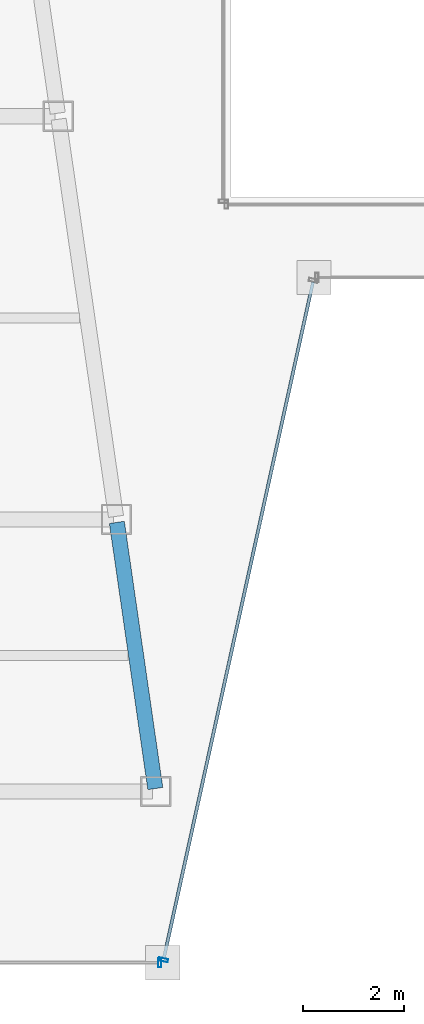
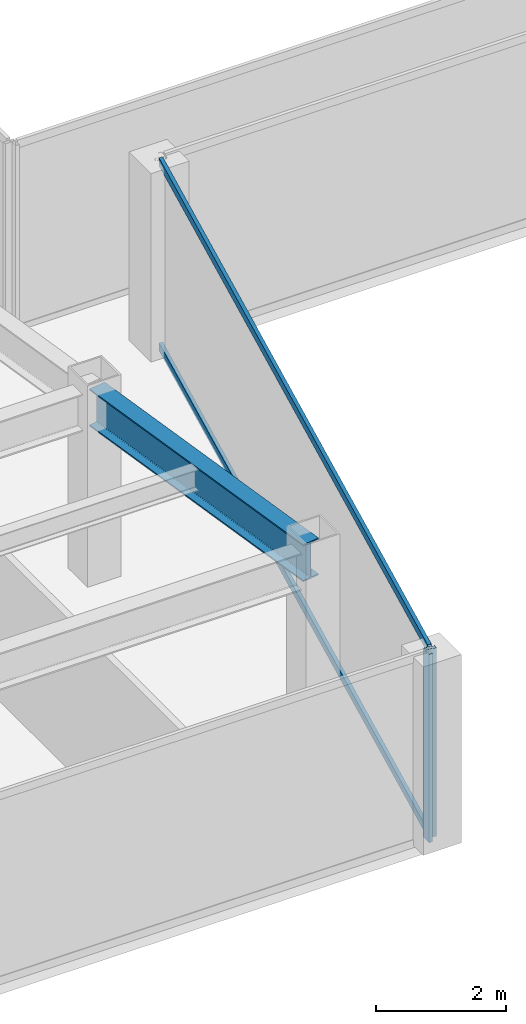
# One storey, part 5 of 38: 4 members, 1 beam, 2 elements without a shape of their own.
"""IFC4 building model written with IfcOpenShell, lengths in metres."""

from ifc_helpers import new_model, si_unit, direction, frame, origin, origin_2d, place, context, subcontext, project, spatial, hollow_rectangle, i_section, extrude, material, material_profile, profile_set, type_object, element, aggregate, save


model = new_model("IFC4")

# Units and contexts
model_context = context("Model", 3, precision=1e-05, world=origin(), true_north=direction((0.0, 1.0)))
body_context = subcontext(model_context, "Body", "Model", "MODEL_VIEW")
ifc_project = project(units=[si_unit("LENGTHUNIT", "METRE"), si_unit("AREAUNIT", "SQUARE_METRE"), si_unit("VOLUMEUNIT", "CUBIC_METRE"), si_unit("PLANEANGLEUNIT", "RADIAN"), si_unit("MASSUNIT", "GRAM", prefix="KILO")], contexts=[model_context])

# Site, building, storey
site_placement = place(None, origin())
site = spatial("IfcSite", under=ifc_project, at=site_placement, CompositionType="ELEMENT")
building_placement = place(site_placement, origin())
building = spatial("IfcBuilding", under=site, at=building_placement, Name="Saevonmaru Cultural Tower", CompositionType="ELEMENT")
storey_placement = place(building_placement, frame((0.0, 0.0, 137.199951171875)))
storey = spatial("IfcBuildingStorey", under=building, at=storey_placement, Name="L29", CompositionType="ELEMENT", Elevation=137.199951171875)

# Beam
ifc_material_1 = material(Name="Steel SM355", Category="steel")
ifc_material_profile_1 = material_profile(ifc_material_1, i_section(OverallWidth=0.300048828125, OverallDepth=0.699951171875, WebThickness=0.012939453125, FlangeThickness=0.02392578125, FilletRadius=0.02587890625, at=origin_2d()), Name="H-700x300x13x24")
ifc_profile_set_1 = profile_set([ifc_material_profile_1], Name="Steel SM355")
beam_type = type_object("IfcBeamType", Name="BM-G-H700", PredefinedType="BEAM", material=ifc_profile_set_1)
beam_placement = place(storey_placement, frame((22.699462890625, 10.659423828125, 3.199951171875), z_axis=(-0.142977693794, 0.989725911087, 0.0), x_axis=(-0.989725911087, -0.142977693794, 0.0)))
element("IfcBeam", 1, at=beam_placement, inside=storey, type_object=beam_type, Name="L29 West Atrium Girder 1", PredefinedType="BEAM", context=body_context, shape_type="SweptSolid", body=[
    extrude(i_section(OverallWidth=0.300048828125, OverallDepth=0.699951171875, WebThickness=0.012939453125, FlangeThickness=0.02392578125, FilletRadius=0.02587890625, at=origin_2d()), origin(), (0.0, 0.0, 1.0), 5.336181640625),
])

# Curtain wall, member
ifc_material_2 = material(Name="Satin Bronze Anodised Aluminium", Category="aluminium")
curtain_wall_type = type_object("IfcCurtainWallType", Name="CW-TYP-A", PredefinedType="NOTDEFINED", material=ifc_material_2)
curtain_wall_1_placement = place(storey_placement, origin())
curtain_wall_1 = element("IfcCurtainWall", 2, at=curtain_wall_1_placement, inside=storey, type_object=curtain_wall_type, Name="L29 Unitised Curtain Wall E2", PredefinedType="NOTDEFINED")
ifc_material_profile_2 = material_profile(ifc_material_2, hollow_rectangle(XDim=0.06494140625, YDim=0.179931640625, WallThickness=0.00390625, at=origin_2d()), Name="ALU-MULL-180x65x4")
ifc_profile_set_2 = profile_set([ifc_material_profile_2], Name="Satin Bronze Anodised Aluminium")
member_type_1 = type_object("IfcMemberType", Name="ML-CW-180x65", PredefinedType="MULLION", material=ifc_profile_set_2)
member_1_placement = place(storey_placement, frame((22.788818359375, 7.199951171875, 0.0), z_axis=(0.0, 0.0, 1.0), x_axis=(1.0, 0.0, 0.0)))
member_1 = element("IfcMember", 3, at=member_1_placement, type_object=member_type_1, Name="CW-TW-L29-E2 mullion 2", PredefinedType="MULLION", context=body_context, shape_type="SweptSolid", body=[
    extrude(hollow_rectangle(XDim=0.06494140625, YDim=0.179931640625, WallThickness=0.00390625, at=origin_2d()), origin(), (0.0, 0.0, 1.0), 3.550048828125),
])
aggregate(curtain_wall_1, [member_1])

# Curtain wall, members
curtain_wall_2_placement = place(storey_placement, origin())
curtain_wall_2 = element("IfcCurtainWall", 4, at=curtain_wall_2_placement, inside=storey, type_object=curtain_wall_type, Name="L29 Unitised Curtain Wall E3", PredefinedType="NOTDEFINED")
member_2_placement = place(storey_placement, frame((22.86181640625, 7.258544921875, 0.0), z_axis=(0.0, 0.0, 1.0), x_axis=(0.215413319953, 0.976522965212, 0.0)))
member_2 = element("IfcMember", 5, at=member_2_placement, type_object=member_type_1, Name="CW-TW-L29-E3 mullion 1", PredefinedType="MULLION", context=body_context, shape_type="SweptSolid", body=[
    extrude(hollow_rectangle(XDim=0.06494140625, YDim=0.179931640625, WallThickness=0.00390625, at=origin_2d()), origin(), (0.0, 0.0, 1.0), 3.550048828125),
])
ifc_material_profile_3 = material_profile(ifc_material_2, hollow_rectangle(XDim=0.06494140625, YDim=0.14990234375, WallThickness=0.00390625, at=origin_2d()), Name="ALU-TRAN-150x65x4")
ifc_profile_set_3 = profile_set([ifc_material_profile_3], Name="Satin Bronze Anodised Aluminium")
member_type_2 = type_object("IfcMemberType", Name="TR-CW-150x65", PredefinedType="USERDEFINED", material=ifc_profile_set_3)
member_3_placement = place(storey_placement, frame((22.868896484375, 7.290283203125, 0.032470703125), z_axis=(0.21541214732, 0.976523223885, 0.0), x_axis=(-0.976523223885, 0.21541214732, 0.0)))
member_3 = element("IfcMember", 6, at=member_3_placement, type_object=member_type_2, Name="CW-TW-L29-E3 transom 1.1", ObjectType="TRANSOM", PredefinedType="USERDEFINED", context=body_context, shape_type="SweptSolid", body=[
    extrude(hollow_rectangle(XDim=0.06494140625, YDim=0.14990234375, WallThickness=0.00390625, at=origin_2d()), origin(), (0.0, 0.0, 1.0), 13.741943359375),
])
member_4_placement = place(storey_placement, frame((22.868896484375, 7.290283203125, 3.517578125), z_axis=(0.21541214732, 0.976523223885, 0.0), x_axis=(-0.976523223885, 0.21541214732, 0.0)))
member_4 = element("IfcMember", 7, at=member_4_placement, type_object=member_type_2, Name="CW-TW-L29-E3 transom 1.2", ObjectType="TRANSOM", PredefinedType="USERDEFINED", context=body_context, shape_type="SweptSolid", body=[
    extrude(hollow_rectangle(XDim=0.06494140625, YDim=0.14990234375, WallThickness=0.00390625, at=origin_2d()), origin(), (0.0, 0.0, 1.0), 13.741943359375),
])
aggregate(curtain_wall_2, [member_2, member_3, member_4])

save(model, "model.ifc")
